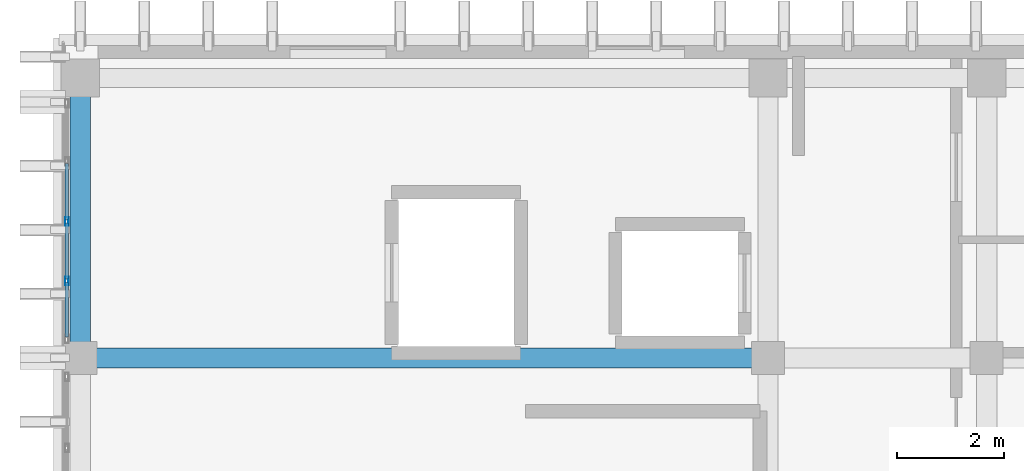
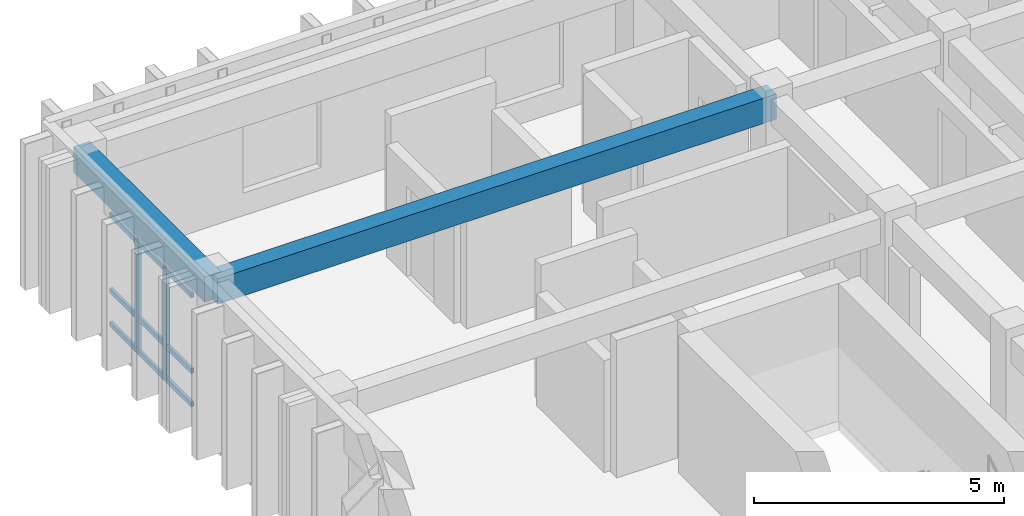
# One storey, part 37 of 59: 11 members, 2 beams, 1 element without a shape of its own.
"""IFC4 building model written with IfcOpenShell, lengths in metres."""

from ifc_helpers import new_model, si_unit, direction, frame, origin, origin_2d, place, context, subcontext, project, spatial, rectangle, hollow_rectangle, extrude, material, layer, layer_set, material_profile, profile_set, type_object, element, aggregate, save


model = new_model("IFC4")

# Units and contexts
model_context = context("Model", 3, precision=1e-05, world=origin(), true_north=direction((0.0, 1.0)))
body_context = subcontext(model_context, "Body", "Model", "MODEL_VIEW")
ifc_project = project(units=[si_unit("LENGTHUNIT", "METRE"), si_unit("AREAUNIT", "SQUARE_METRE"), si_unit("VOLUMEUNIT", "CUBIC_METRE"), si_unit("PLANEANGLEUNIT", "RADIAN"), si_unit("MASSUNIT", "GRAM", prefix="KILO")], contexts=[model_context])

# Site, building, storey
site_placement = place(None, origin())
site = spatial("IfcSite", under=ifc_project, at=site_placement, CompositionType="ELEMENT")
building_placement = place(site_placement, origin())
building = spatial("IfcBuilding", under=site, at=building_placement, Name="Nakhvara Creek Congress Hotel", CompositionType="ELEMENT")
storey_placement = place(building_placement, frame((0.0, 0.0, 31.800048828125)))
storey = spatial("IfcBuildingStorey", under=building, at=storey_placement, Name="L07", CompositionType="ELEMENT", Elevation=31.800048828125)

# Beams
ifc_material_1 = material(Name="Concrete C40/50", Category="concrete")
ifc_material_profile_1 = material_profile(ifc_material_1, rectangle(XDim=0.3798828125, YDim=0.6201171875, at=origin_2d()), Name="RC-BM 380x620", Category="LoadBearing")
ifc_profile_set_1 = profile_set([ifc_material_profile_1], Name="Concrete C40/50")
beam_type = type_object("IfcBeamType", Name="BM-RC-380X620", PredefinedType="BEAM", material=ifc_profile_set_1)
beam_1_placement = place(storey_placement, frame((149.449951171875, 120.0, 3.050048828125), z_axis=(0.0, 1.0, 0.0), x_axis=(-1.0, 0.0, 0.0)))
element("IfcBeam", 1, at=beam_1_placement, inside=storey, type_object=beam_type, Name="Beam B10-L07-2340", PredefinedType="BEAM", context=body_context, shape_type="SweptSolid", body=[
    extrude(rectangle(XDim=0.3798828125, YDim=0.6201171875, at=origin_2d()), origin(), (0.0, 0.0, 1.0), 5.25),
])
beam_2_placement = place(storey_placement, frame((149.449951171875, 120.0, 3.050048828125), z_axis=(1.0, 0.0, 0.0), x_axis=(0.0, 1.0, 0.0)))
element("IfcBeam", 2, at=beam_2_placement, inside=storey, type_object=beam_type, Name="Beam B10-L07-2412", PredefinedType="BEAM", context=body_context, shape_type="SweptSolid", body=[
    extrude(rectangle(XDim=0.3798828125, YDim=0.6201171875, at=origin_2d()), origin(), (0.0, 0.0, 1.0), 12.900146484375),
])

# Curtain wall, members
ifc_material_2 = material(Name="Bronze-anodised aluminium AW-6063-T6 and double-silver low-E glass", Category="aluminium")
ifc_layer = layer(ifc_material_2, 0.199951171875)
ifc_layer_set = layer_set([ifc_layer], Name="Bronze-anodised aluminium AW-6063-T6 and double-silver low-E glass")
curtain_wall_type = type_object("IfcCurtainWallType", Name="CW-HTL-UNIT", PredefinedType="USERDEFINED", material=ifc_layer_set)
curtain_wall_placement = place(storey_placement, origin())
curtain_wall = element("IfcCurtainWall", 3, at=curtain_wall_placement, inside=storey, type_object=curtain_wall_type, Name="Curtain Wall CW274", ObjectType="UNITISED", PredefinedType="USERDEFINED")
ifc_material_3 = material(Name="Bronze-anodised aluminium AW-6063-T6", Category="aluminium")
ifc_material_profile_2 = material_profile(ifc_material_3, hollow_rectangle(XDim=0.06494140625, YDim=0.159912109375, WallThickness=0.00390625, at=origin_2d()), Name="ALU-MULL 65x160x4", Category="LoadBearing")
ifc_profile_set_2 = profile_set([ifc_material_profile_2], Name="Bronze-anodised aluminium AW-6063-T6")
member_type_1 = type_object("IfcMemberType", Name="CW-MULL-160", PredefinedType="MULLION", material=ifc_profile_set_2)
member_1_placement = place(storey_placement, frame((149.199951171875, 121.44384765625, 0.0), z_axis=(0.0, 0.0, 1.0), x_axis=(-1.0, 0.0, 0.0)))
member_1 = element("IfcMember", 4, at=member_1_placement, type_object=member_type_1, Name="CW274 mullion 2", PredefinedType="MULLION", context=body_context, shape_type="SweptSolid", body=[
    extrude(hollow_rectangle(XDim=0.06494140625, YDim=0.159912109375, WallThickness=0.00390625, at=origin_2d()), origin(), (0.0, 0.0, 1.0), 2.73193359375),
])
member_2_placement = place(storey_placement, frame((149.199951171875, 122.5625, 0.0), z_axis=(0.0, 0.0, 1.0), x_axis=(-1.0, 0.0, 0.0)))
member_2 = element("IfcMember", 5, at=member_2_placement, type_object=member_type_1, Name="CW274 mullion 3", PredefinedType="MULLION", context=body_context, shape_type="SweptSolid", body=[
    extrude(hollow_rectangle(XDim=0.06494140625, YDim=0.159912109375, WallThickness=0.00390625, at=origin_2d()), origin(), (0.0, 0.0, 1.0), 2.73193359375),
])
ifc_material_profile_3 = material_profile(ifc_material_3, hollow_rectangle(XDim=0.06494140625, YDim=0.1201171875, WallThickness=0.00390625, at=origin_2d()), Name="ALU-TRAN 65x120x4", Category="LoadBearing")
ifc_profile_set_3 = profile_set([ifc_material_profile_3], Name="Bronze-anodised aluminium AW-6063-T6")
member_type_2 = type_object("IfcMemberType", Name="CW-TRAN-120", PredefinedType="USERDEFINED", material=ifc_profile_set_3)
member_3_placement = place(storey_placement, frame((149.199951171875, 120.389892578125, 0.032470703125), z_axis=(0.0, 1.0, 0.0), x_axis=(-1.0, 0.0, 0.0)))
member_3 = element("IfcMember", 6, at=member_3_placement, type_object=member_type_2, Name="CW274 transom 1.1", ObjectType="TRANSOM", PredefinedType="USERDEFINED", context=body_context, shape_type="SweptSolid", body=[
    extrude(hollow_rectangle(XDim=0.06494140625, YDim=0.1201171875, WallThickness=0.00390625, at=origin_2d()), origin(), (0.0, 0.0, 1.0), 1.021240234375),
])
member_4_placement = place(storey_placement, frame((149.199951171875, 120.389892578125, 0.849853515625), z_axis=(0.0, 1.0, 0.0), x_axis=(-1.0, 0.0, 0.0)))
member_4 = element("IfcMember", 7, at=member_4_placement, type_object=member_type_2, Name="CW274 transom 1.2", ObjectType="TRANSOM", PredefinedType="USERDEFINED", context=body_context, shape_type="SweptSolid", body=[
    extrude(hollow_rectangle(XDim=0.06494140625, YDim=0.1201171875, WallThickness=0.00390625, at=origin_2d()), origin(), (0.0, 0.0, 1.0), 1.021240234375),
])
member_5_placement = place(storey_placement, frame((149.199951171875, 120.389892578125, 2.699462890625), z_axis=(0.0, 1.0, 0.0), x_axis=(-1.0, 0.0, 0.0)))
member_5 = element("IfcMember", 8, at=member_5_placement, type_object=member_type_2, Name="CW274 transom 1.3", ObjectType="TRANSOM", PredefinedType="USERDEFINED", context=body_context, shape_type="SweptSolid", body=[
    extrude(hollow_rectangle(XDim=0.06494140625, YDim=0.1201171875, WallThickness=0.00390625, at=origin_2d()), origin(), (0.0, 0.0, 1.0), 1.021240234375),
])
member_6_placement = place(storey_placement, frame((149.199951171875, 121.476318359375, 0.032470703125), z_axis=(0.0, 1.0, 0.0), x_axis=(-1.0, 0.0, 0.0)))
member_6 = element("IfcMember", 9, at=member_6_placement, type_object=member_type_2, Name="CW274 transom 2.1", ObjectType="TRANSOM", PredefinedType="USERDEFINED", context=body_context, shape_type="SweptSolid", body=[
    extrude(hollow_rectangle(XDim=0.06494140625, YDim=0.1201171875, WallThickness=0.00390625, at=origin_2d()), origin(), (0.0, 0.0, 1.0), 1.0537109375),
])
member_7_placement = place(storey_placement, frame((149.199951171875, 121.476318359375, 0.849853515625), z_axis=(0.0, 1.0, 0.0), x_axis=(-1.0, 0.0, 0.0)))
member_7 = element("IfcMember", 10, at=member_7_placement, type_object=member_type_2, Name="CW274 transom 2.2", ObjectType="TRANSOM", PredefinedType="USERDEFINED", context=body_context, shape_type="SweptSolid", body=[
    extrude(hollow_rectangle(XDim=0.06494140625, YDim=0.1201171875, WallThickness=0.00390625, at=origin_2d()), origin(), (0.0, 0.0, 1.0), 1.0537109375),
])
member_8_placement = place(storey_placement, frame((149.199951171875, 121.476318359375, 2.699462890625), z_axis=(0.0, 1.0, 0.0), x_axis=(-1.0, 0.0, 0.0)))
member_8 = element("IfcMember", 11, at=member_8_placement, type_object=member_type_2, Name="CW274 transom 2.3", ObjectType="TRANSOM", PredefinedType="USERDEFINED", context=body_context, shape_type="SweptSolid", body=[
    extrude(hollow_rectangle(XDim=0.06494140625, YDim=0.1201171875, WallThickness=0.00390625, at=origin_2d()), origin(), (0.0, 0.0, 1.0), 1.0537109375),
])
member_9_placement = place(storey_placement, frame((149.199951171875, 122.594970703125, 0.032470703125), z_axis=(0.0, 1.0, 0.0), x_axis=(-1.0, 0.0, 0.0)))
member_9 = element("IfcMember", 12, at=member_9_placement, type_object=member_type_2, Name="CW274 transom 3.1", ObjectType="TRANSOM", PredefinedType="USERDEFINED", context=body_context, shape_type="SweptSolid", body=[
    extrude(hollow_rectangle(XDim=0.06494140625, YDim=0.1201171875, WallThickness=0.00390625, at=origin_2d()), origin(), (0.0, 0.0, 1.0), 1.0537109375),
])
member_10_placement = place(storey_placement, frame((149.199951171875, 122.594970703125, 0.849853515625), z_axis=(0.0, 1.0, 0.0), x_axis=(-1.0, 0.0, 0.0)))
member_10 = element("IfcMember", 13, at=member_10_placement, type_object=member_type_2, Name="CW274 transom 3.2", ObjectType="TRANSOM", PredefinedType="USERDEFINED", context=body_context, shape_type="SweptSolid", body=[
    extrude(hollow_rectangle(XDim=0.06494140625, YDim=0.1201171875, WallThickness=0.00390625, at=origin_2d()), origin(), (0.0, 0.0, 1.0), 1.0537109375),
])
member_11_placement = place(storey_placement, frame((149.199951171875, 122.594970703125, 2.699462890625), z_axis=(0.0, 1.0, 0.0), x_axis=(-1.0, 0.0, 0.0)))
member_11 = element("IfcMember", 14, at=member_11_placement, type_object=member_type_2, Name="CW274 transom 3.3", ObjectType="TRANSOM", PredefinedType="USERDEFINED", context=body_context, shape_type="SweptSolid", body=[
    extrude(hollow_rectangle(XDim=0.06494140625, YDim=0.1201171875, WallThickness=0.00390625, at=origin_2d()), origin(), (0.0, 0.0, 1.0), 1.0537109375),
])
aggregate(curtain_wall, [member_1, member_2, member_3, member_4, member_5, member_6, member_7, member_8, member_9, member_10, member_11])

save(model, "model.ifc")
